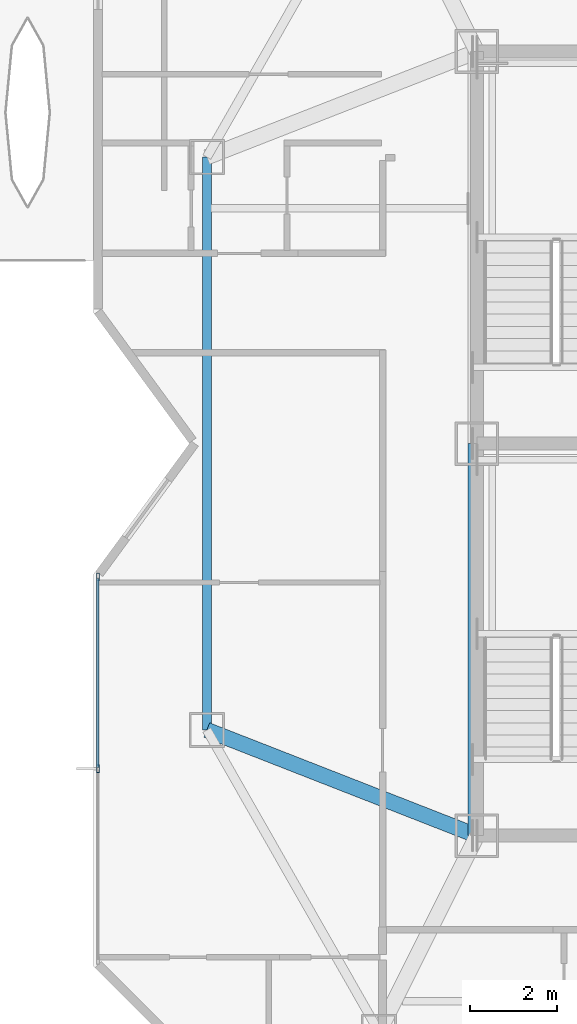
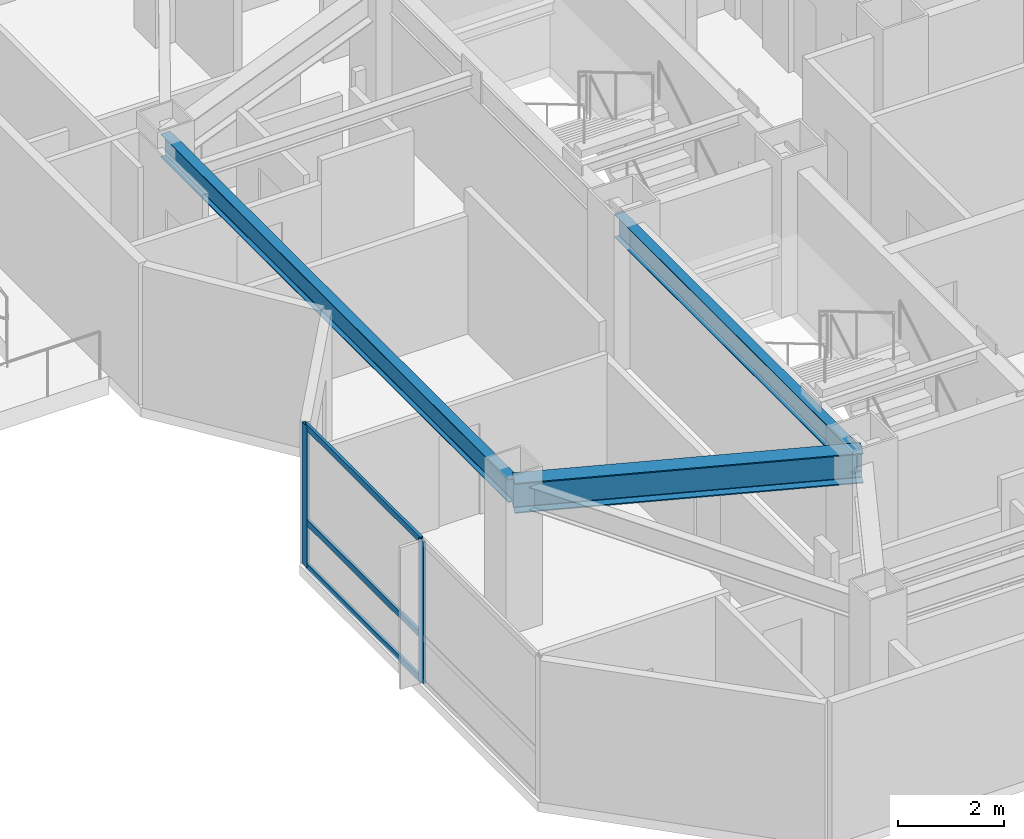
# One storey, part 4 of 14: 5 members, 3 beams, 1 element without a shape of its own.
"""IFC4 building model written with IfcOpenShell, lengths in metres."""

from ifc_helpers import new_model, si_unit, direction, frame, origin, origin_2d, place, context, subcontext, project, spatial, hollow_rectangle, i_section, extrude, material, material_profile, profile_set, type_object, element, aggregate, save


model = new_model("IFC4")

# Units and contexts
model_context = context("Model", 3, precision=1e-05, world=origin(), true_north=direction((0.0, 1.0)))
body_context = subcontext(model_context, "Body", "Model", "MODEL_VIEW")
ifc_project = project(units=[si_unit("LENGTHUNIT", "METRE"), si_unit("AREAUNIT", "SQUARE_METRE"), si_unit("VOLUMEUNIT", "CUBIC_METRE"), si_unit("PLANEANGLEUNIT", "RADIAN"), si_unit("MASSUNIT", "GRAM", prefix="KILO")], contexts=[model_context])

# Site, building, storey
site_placement = place(None, origin())
site = spatial("IfcSite", under=ifc_project, at=site_placement, CompositionType="ELEMENT")
building_placement = place(site_placement, origin())
building = spatial("IfcBuilding", under=site, at=building_placement, Name="Khamvora Tower", CompositionType="ELEMENT")
storey_placement = place(building_placement, frame((0.0, 0.0, 261.0)))
storey = spatial("IfcBuildingStorey", under=building, at=storey_placement, Name="L67", CompositionType="ELEMENT", Elevation=261.0)

# Beams
ifc_material_1 = material(Name="Steel S355", Category="steel")
ifc_material_profile_1 = material_profile(ifc_material_1, i_section(OverallWidth=0.35498046875, OverallDepth=0.695068359375, WebThickness=0.014892578125, FlangeThickness=0.02490234375, FilletRadius=0.01611328125, at=origin_2d()), Name="W690x217")
ifc_profile_set_1 = profile_set([ifc_material_profile_1], Name="Steel S355")
beam_type_1 = type_object("IfcBeamType", Name="BM-PG-W690x217", PredefinedType="BEAM", material=ifc_profile_set_1)
beam_1_placement = place(storey_placement, frame((29.0, 19.0, 2.922119140625), z_axis=(-0.931294712743, 0.36426660294, 0.0), x_axis=(-0.36426660294, -0.931294712743, 0.0)))
element("IfcBeam", 1, at=beam_1_placement, inside=storey, type_object=beam_type_1, Name="L67 primary floor girder W1", PredefinedType="BEAM", context=body_context, shape_type="SweptSolid", body=[
    extrude(i_section(OverallWidth=0.35498046875, OverallDepth=0.695068359375, WebThickness=0.014892578125, FlangeThickness=0.02490234375, FilletRadius=0.01611328125, at=origin_2d()), origin(), (0.0, 0.0, 1.0), 6.6572265625),
])
ifc_material_profile_2 = material_profile(ifc_material_1, i_section(OverallWidth=0.208984375, OverallDepth=0.532958984375, WebThickness=0.010009765625, FlangeThickness=0.01611328125, FilletRadius=0.013916015625, at=origin_2d()), Name="W530x92")
ifc_profile_set_2 = profile_set([ifc_material_profile_2], Name="Steel S355")
beam_type_2 = type_object("IfcBeamType", Name="BM-SP-W530x92", PredefinedType="SPANDREL", material=ifc_profile_set_2)
beam_2_placement = place(storey_placement, frame((22.800048828125, 34.574951171875, 3.0029296875), z_axis=(0.0, -1.0, 0.0), x_axis=(1.0, 0.0, 0.0)))
element("IfcBeam", 2, at=beam_2_placement, inside=storey, type_object=beam_type_2, Name="L67 perimeter spandrel beam W2-W1", PredefinedType="SPANDREL", context=body_context, shape_type="SweptSolid", body=[
    extrude(i_section(OverallWidth=0.208984375, OverallDepth=0.532958984375, WebThickness=0.010009765625, FlangeThickness=0.01611328125, FilletRadius=0.013916015625, at=origin_2d()), origin(), (0.0, 0.0, 1.0), 13.14990234375),
])
beam_3_placement = place(storey_placement, frame((28.89990234375, 19.0, 3.0029296875), z_axis=(0.0, 1.0, 0.0), x_axis=(-1.0, 0.0, 0.0)))
element("IfcBeam", 3, at=beam_3_placement, inside=storey, type_object=beam_type_2, Name="L67 core spine girder WS", PredefinedType="SPANDREL", context=body_context, shape_type="SweptSolid", body=[
    extrude(i_section(OverallWidth=0.208984375, OverallDepth=0.532958984375, WebThickness=0.010009765625, FlangeThickness=0.01611328125, FilletRadius=0.013916015625, at=origin_2d()), origin(), (0.0, 0.0, 1.0), 9.0),
])

# Curtain wall, members
ifc_material_2 = material(Name="Anodised Aluminium 6063-T6", Category="aluminium")
curtain_wall_type = type_object("IfcCurtainWallType", Name="CW-SYS-05", PredefinedType="NOTDEFINED", material=ifc_material_2)
curtain_wall_placement = place(storey_placement, origin())
curtain_wall = element("IfcCurtainWall", 4, at=curtain_wall_placement, inside=storey, type_object=curtain_wall_type, Name="L67 stick curtain wall 02.1", PredefinedType="NOTDEFINED")
ifc_material_profile_3 = material_profile(ifc_material_2, hollow_rectangle(XDim=0.06005859375, YDim=0.175048828125, WallThickness=0.0048828125, at=origin_2d()), Name="MUL60x175x5")
ifc_profile_set_3 = profile_set([ifc_material_profile_3], Name="Anodised Aluminium 6063-T6")
member_type_1 = type_object("IfcMemberType", Name="CW-SYS-05-MUL", PredefinedType="MULLION", material=ifc_profile_set_3)
member_1_placement = place(storey_placement, frame((20.300048828125, 20.535400390625, 0.0), z_axis=(0.0, 0.0, 1.0), x_axis=(-1.0, 0.0, 0.0)))
member_1 = element("IfcMember", 5, at=member_1_placement, type_object=member_type_1, Name="CW-05 mullion 2", PredefinedType="MULLION", context=body_context, shape_type="SweptSolid", body=[
    extrude(hollow_rectangle(XDim=0.06005859375, YDim=0.175048828125, WallThickness=0.0048828125, at=origin_2d()), origin(), (0.0, 0.0, 1.0), 3.27001953125),
])
member_2_placement = place(storey_placement, frame((20.300048828125, 24.93701171875, 0.0), z_axis=(0.0, 0.0, 1.0), x_axis=(-1.0, 0.0, 0.0)))
member_2 = element("IfcMember", 6, at=member_2_placement, type_object=member_type_1, Name="CW-05 mullion 3", PredefinedType="MULLION", context=body_context, shape_type="SweptSolid", body=[
    extrude(hollow_rectangle(XDim=0.06005859375, YDim=0.175048828125, WallThickness=0.0048828125, at=origin_2d()), origin(), (0.0, 0.0, 1.0), 3.27001953125),
])
ifc_material_profile_4 = material_profile(ifc_material_2, hollow_rectangle(XDim=0.06005859375, YDim=0.14501953125, WallThickness=0.0048828125, at=origin_2d()), Name="TRN60x145x5")
ifc_profile_set_4 = profile_set([ifc_material_profile_4], Name="Anodised Aluminium 6063-T6")
member_type_2 = type_object("IfcMemberType", Name="CW-SYS-05-TRN", PredefinedType="USERDEFINED", material=ifc_profile_set_4)
member_3_placement = place(storey_placement, frame((20.300048828125, 20.5654296875, 0.030029296875), z_axis=(0.0, 1.0, 0.0), x_axis=(-1.0, 0.0, 0.0)))
member_3 = element("IfcMember", 7, at=member_3_placement, type_object=member_type_2, Name="CW-05 transom 2.1", ObjectType="TRANSOM", PredefinedType="USERDEFINED", context=body_context, shape_type="SweptSolid", body=[
    extrude(hollow_rectangle(XDim=0.06005859375, YDim=0.14501953125, WallThickness=0.0048828125, at=origin_2d()), origin(), (0.0, 0.0, 1.0), 4.341552734375),
])
member_4_placement = place(storey_placement, frame((20.300048828125, 20.5654296875, 1.050048828125), z_axis=(0.0, 1.0, 0.0), x_axis=(-1.0, 0.0, 0.0)))
member_4 = element("IfcMember", 8, at=member_4_placement, type_object=member_type_2, Name="CW-05 transom 2.2", ObjectType="TRANSOM", PredefinedType="USERDEFINED", context=body_context, shape_type="SweptSolid", body=[
    extrude(hollow_rectangle(XDim=0.06005859375, YDim=0.14501953125, WallThickness=0.0048828125, at=origin_2d()), origin(), (0.0, 0.0, 1.0), 4.341552734375),
])
member_5_placement = place(storey_placement, frame((20.300048828125, 20.5654296875, 3.239990234375), z_axis=(0.0, 1.0, 0.0), x_axis=(-1.0, 0.0, 0.0)))
member_5 = element("IfcMember", 9, at=member_5_placement, type_object=member_type_2, Name="CW-05 transom 2.3", ObjectType="TRANSOM", PredefinedType="USERDEFINED", context=body_context, shape_type="SweptSolid", body=[
    extrude(hollow_rectangle(XDim=0.06005859375, YDim=0.14501953125, WallThickness=0.0048828125, at=origin_2d()), origin(), (0.0, 0.0, 1.0), 4.341552734375),
])
aggregate(curtain_wall, [member_1, member_2, member_3, member_4, member_5])

save(model, "model.ifc")
